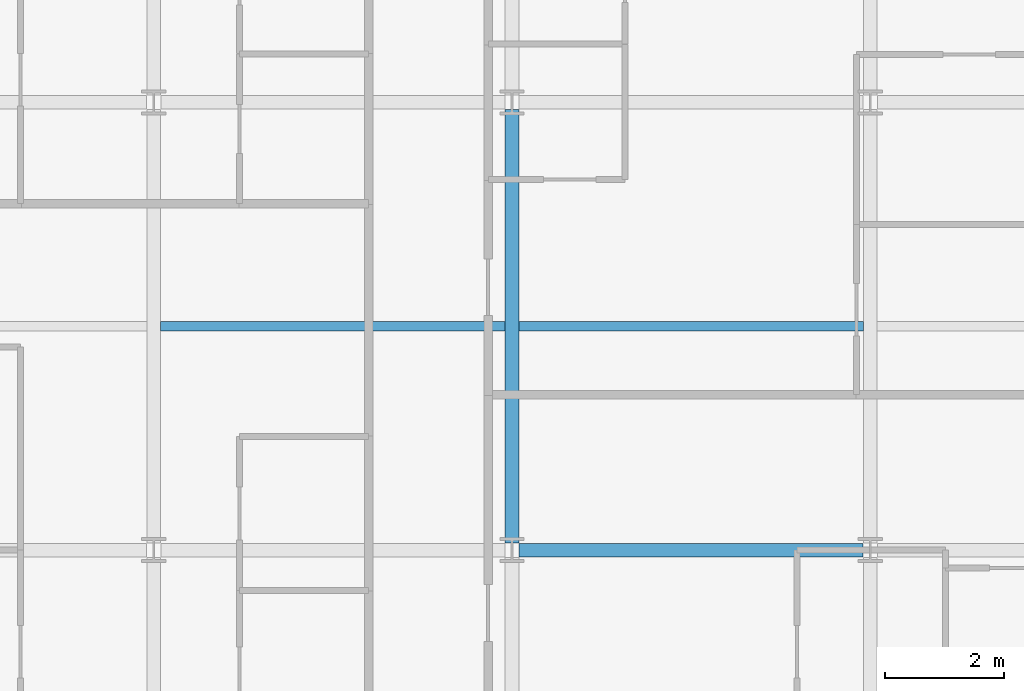
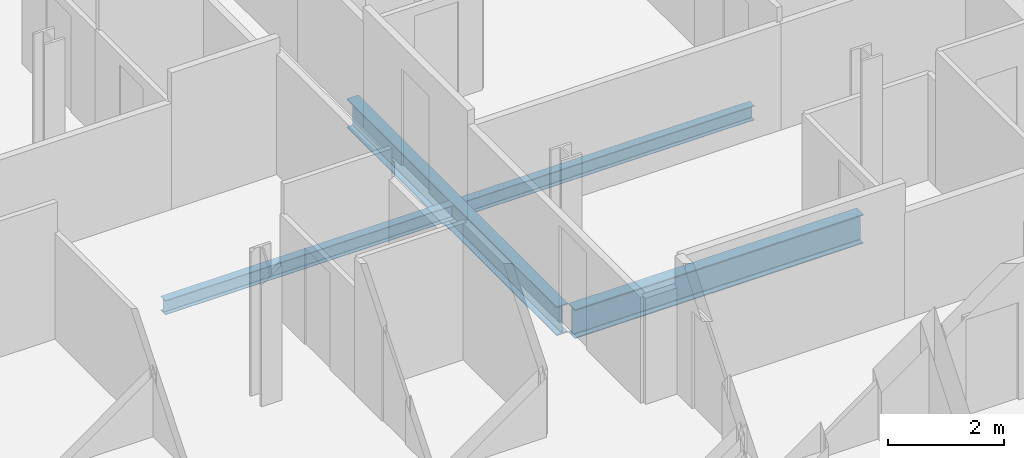
# One storey, part 6 of 40: 4 beams.
"""IFC4 building model written with IfcOpenShell, lengths in metres."""

from ifc_helpers import new_model, si_unit, direction, frame, origin, origin_2d, place, context, subcontext, project, spatial, i_section, extrude, material, material_profile, profile_set, type_object, element, save


model = new_model("IFC4")

# Units and contexts
model_context = context("Model", 3, precision=1e-05, world=origin(), true_north=direction((0.0, 1.0)))
body_context = subcontext(model_context, "Body", "Model", "MODEL_VIEW")
ifc_project = project(units=[si_unit("LENGTHUNIT", "METRE"), si_unit("AREAUNIT", "SQUARE_METRE"), si_unit("VOLUMEUNIT", "CUBIC_METRE"), si_unit("PLANEANGLEUNIT", "RADIAN"), si_unit("MASSUNIT", "GRAM", prefix="KILO")], contexts=[model_context])

# Site, building, storey
site_placement = place(None, origin())
site = spatial("IfcSite", under=ifc_project, at=site_placement, CompositionType="ELEMENT")
building_placement = place(site_placement, origin())
building = spatial("IfcBuilding", under=site, at=building_placement, Name="Brevholm Reach", CompositionType="ELEMENT")
storey_placement = place(building_placement, frame((0.0, 0.0, 119.0)))
storey = spatial("IfcBuildingStorey", under=building, at=storey_placement, Name="L35", CompositionType="ELEMENT", Elevation=119.0)

# Beams
ifc_material_1 = material(Name="Structural Steel S355J2", Category="steel")
ifc_material_profile_1 = material_profile(ifc_material_1, i_section(OverallWidth=0.1650390625, OverallDepth=0.303466796875, WebThickness=0.006103515625, FlangeThickness=0.01025390625, FilletRadius=0.0087890625, at=origin_2d()), Name="UKB 305x165x40")
ifc_profile_set_1 = profile_set([ifc_material_profile_1], Name="Structural Steel S355J2")
beam_type_1 = type_object("IfcBeamType", Name="BM-B305", PredefinedType="BEAM", material=ifc_profile_set_1)
for number, where, z_axis, x_axis, name in (
    (1, (6.114501953125, 19.75, -0.37158203125), (1.0, 0.0, 0.0), (0.0, 1.0, 0.0), "L35 Composite Secondary Floor Beam"),
    (2, (12.114501953125, 19.75, -0.37158203125), (1.0, 0.0, 0.0), (0.0, 1.0, 0.0), "L35 Composite Secondary Floor Beam"),
):
    element("IfcBeam", number, at=place(storey_placement, frame(where, z_axis=z_axis, x_axis=x_axis)), inside=storey, type_object=beam_type_1, Name=name, PredefinedType="BEAM", context=body_context, shape_type="SweptSolid", body=[
        extrude(i_section(OverallWidth=0.1650390625, OverallDepth=0.303466796875, WebThickness=0.006103515625, FlangeThickness=0.01025390625, FilletRadius=0.0087890625, at=origin_2d()), origin(), (0.0, 0.0, 1.0), 5.77099609375),
    ])
ifc_material_2 = material(Name="Structural Steel S355J2", Category="steel")
ifc_material_profile_2 = material_profile(ifc_material_2, i_section(OverallWidth=0.22900390625, OverallDepth=0.6123046875, WebThickness=0.011962890625, FlangeThickness=0.01953125, FilletRadius=0.0126953125, at=origin_2d()), Name="UKB 610x229x125")
ifc_profile_set_2 = profile_set([ifc_material_profile_2], Name="Structural Steel S355J2")
beam_type_2 = type_object("IfcBeamType", Name="BM-SP610", PredefinedType="SPANDREL", material=ifc_profile_set_2)
beam_1_placement = place(storey_placement, frame((12.1201171875, 16.0, -0.526123046875), z_axis=(1.0, 0.0, 0.0), x_axis=(0.0, 1.0, 0.0)))
element("IfcBeam", 3, at=beam_1_placement, inside=storey, type_object=beam_type_2, Name="L35 SP-01 Framing Beam", PredefinedType="SPANDREL", context=body_context, shape_type="SweptSolid", body=[
    extrude(i_section(OverallWidth=0.22900390625, OverallDepth=0.6123046875, WebThickness=0.011962890625, FlangeThickness=0.01953125, FilletRadius=0.0126953125, at=origin_2d()), origin(), (0.0, 0.0, 1.0), 5.759765625),
])
beam_2_placement = place(storey_placement, frame((12.0, 16.1201171875, -0.526123046875), z_axis=(0.0, 1.0, 0.0), x_axis=(-1.0, 0.0, 0.0)))
element("IfcBeam", 4, at=beam_2_placement, inside=storey, type_object=beam_type_2, Name="L35 SP-01 Framing Beam", PredefinedType="SPANDREL", context=body_context, shape_type="SweptSolid", body=[
    extrude(i_section(OverallWidth=0.22900390625, OverallDepth=0.6123046875, WebThickness=0.011962890625, FlangeThickness=0.01953125, FilletRadius=0.0126953125, at=origin_2d()), origin(), (0.0, 0.0, 1.0), 7.259765625),
])

save(model, "model.ifc")
